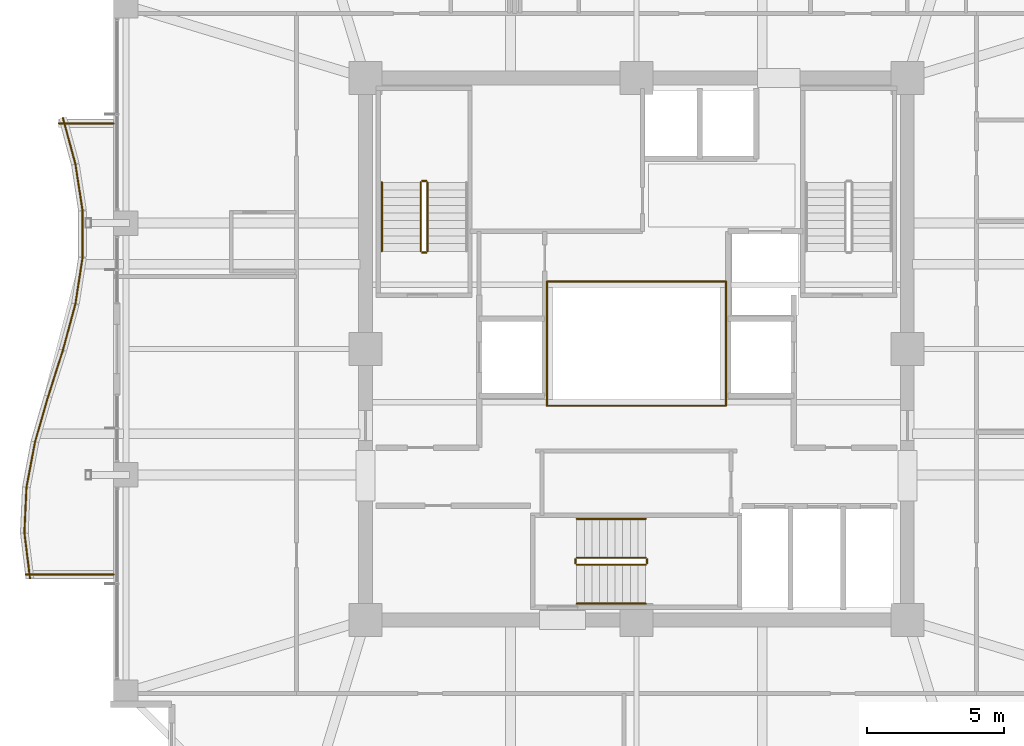
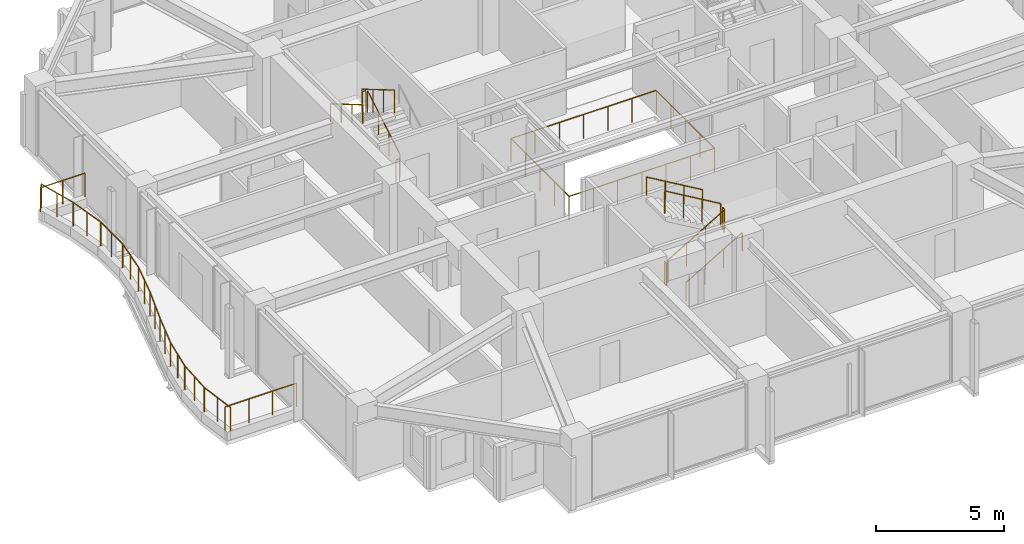
# One storey, part 34 of 35: 27 railings.
"""IFC4 building model written with IfcOpenShell, lengths in metres."""

from ifc_helpers import new_model, si_unit, direction, frame, origin, origin_2d, place, context, subcontext, project, spatial, circle, extrude, material, type_object, element, save


model = new_model("IFC4")

# Units and contexts
model_context = context("Model", 3, precision=1e-05, world=origin(), true_north=direction((0.0, 1.0)))
body_context = subcontext(model_context, "Body", "Model", "MODEL_VIEW")
ifc_project = project(units=[si_unit("LENGTHUNIT", "METRE"), si_unit("AREAUNIT", "SQUARE_METRE"), si_unit("VOLUMEUNIT", "CUBIC_METRE"), si_unit("PLANEANGLEUNIT", "RADIAN"), si_unit("MASSUNIT", "GRAM", prefix="KILO")], contexts=[model_context])

# Site, building, storey
site_placement = place(None, origin())
site = spatial("IfcSite", under=ifc_project, at=site_placement, CompositionType="ELEMENT")
building_placement = place(site_placement, origin())
building = spatial("IfcBuilding", under=site, at=building_placement, Name="Kolvaren Belvedere", CompositionType="ELEMENT")
storey_placement = place(building_placement, frame((0.0, 0.0, 163.5)))
storey = spatial("IfcBuildingStorey", under=building, at=storey_placement, Name="L47", CompositionType="ELEMENT", Elevation=163.5)

# Railings
ifc_material_1 = material(Name="Laminated glass & stainless-steel cap rail", Category="steel")
railing_type_1 = type_object("IfcRailingType", Name="RL-ATR-1150", PredefinedType="BALUSTRADE", material=ifc_material_1)
for number, where, name in (
    (1, (-3.27001953125, 2.469970703125, 0.0), "L47 Atrium North Glass Balustrade"),
    (2, (-3.27001953125, -2.070068359375, 0.0), "L47 Atrium South Glass Balustrade"),
):
    element("IfcRailing", number, at=place(storey_placement, frame(where)), inside=storey, type_object=railing_type_1, Name=name, PredefinedType="BALUSTRADE", context=body_context, shape_type="SweptSolid", body=[
        extrude(circle(Radius=0.02392578125, at=origin_2d()), frame((0.0, 0.0, 1.1259765625), z_axis=(1.0, 0.0, 0.0), x_axis=(0.0, 1.0, 0.0)), (0.0, 0.0, 1.0), 6.5400390625),
        extrude(circle(Radius=0.02099609375, at=origin_2d()), origin(), (0.0, 0.0, 1.0), 1.101806640625),
        extrude(circle(Radius=0.02099609375, at=origin_2d()), frame((1.090087890625, 0.0, 0.0)), (0.0, 0.0, 1.0), 1.101806640625),
        extrude(circle(Radius=0.02099609375, at=origin_2d()), frame((2.179931640625, 0.0, 0.0)), (0.0, 0.0, 1.0), 1.101806640625),
        extrude(circle(Radius=0.02099609375, at=origin_2d()), frame((3.27001953125, 0.0, 0.0)), (0.0, 0.0, 1.0), 1.101806640625),
        extrude(circle(Radius=0.02099609375, at=origin_2d()), frame((4.360107421875, 0.0, 0.0)), (0.0, 0.0, 1.0), 1.101806640625),
        extrude(circle(Radius=0.02099609375, at=origin_2d()), frame((5.449951171875, 0.0, 0.0)), (0.0, 0.0, 1.0), 1.101806640625),
        extrude(circle(Radius=0.02099609375, at=origin_2d()), frame((6.5400390625, 0.0, 0.0)), (0.0, 0.0, 1.0), 1.101806640625),
    ])
for number, where, name in (
    (3, (-3.27001953125, -2.070068359375, 0.0), "L47 Atrium West Glass Balustrade"),
    (4, (3.27001953125, -2.070068359375, 0.0), "L47 Atrium East Glass Balustrade"),
):
    element("IfcRailing", number, at=place(storey_placement, frame(where)), inside=storey, type_object=railing_type_1, Name=name, PredefinedType="BALUSTRADE", context=body_context, shape_type="SweptSolid", body=[
        extrude(circle(Radius=0.02392578125, at=origin_2d()), frame((0.0, 0.0, 1.1259765625), z_axis=(0.0, 1.0, 0.0), x_axis=(-1.0, 0.0, 0.0)), (0.0, 0.0, 1.0), 4.5400390625),
        extrude(circle(Radius=0.02099609375, at=origin_2d()), origin(), (0.0, 0.0, 1.0), 1.101806640625),
        extrude(circle(Radius=0.02099609375, at=origin_2d()), frame((0.0, 1.135009765625, 0.0)), (0.0, 0.0, 1.0), 1.101806640625),
        extrude(circle(Radius=0.02099609375, at=origin_2d()), frame((0.0, 2.27001953125, 0.0)), (0.0, 0.0, 1.0), 1.101806640625),
        extrude(circle(Radius=0.02099609375, at=origin_2d()), frame((0.0, 3.405029296875, 0.0)), (0.0, 0.0, 1.0), 1.101806640625),
        extrude(circle(Radius=0.02099609375, at=origin_2d()), frame((0.0, 4.5400390625, 0.0)), (0.0, 0.0, 1.0), 1.101806640625),
    ])
ifc_material_2 = material(Name="Anodised pale-metal aluminium & laminated glass guard", Category="aluminium")
railing_type_2 = type_object("IfcRailingType", Name="RL-GUARD-1150", PredefinedType="GUARDRAIL", material=ifc_material_2)
railing_1_placement = place(storey_placement, frame((-20.951904296875, 8.441650390625, 0.39990234375)))
element("IfcRailing", 5, at=railing_1_placement, inside=storey, type_object=railing_type_2, Name="L47 Exterior Deck Safety Guard BAL-W-1", PredefinedType="GUARDRAIL", context=body_context, shape_type="SweptSolid", body=[
    extrude(circle(Radius=0.02392578125, at=origin_2d()), frame((0.0, 0.0, 1.1259765625), z_axis=(0.260682852326, -0.965424492388, 0.0), x_axis=(0.965424492388, 0.260682852326, 0.0)), (0.0, 0.0, 1.0), 1.739990234375),
    extrude(circle(Radius=0.02099609375, at=origin_2d()), origin(), (0.0, 0.0, 1.0), 1.101806640625),
    extrude(circle(Radius=0.02099609375, at=origin_2d()), frame((0.226806640625, -0.83984375, 0.0)), (0.0, 0.0, 1.0), 1.101806640625),
    extrude(circle(Radius=0.02099609375, at=origin_2d()), frame((0.45361328125, -1.679931640625, 0.0)), (0.0, 0.0, 1.0), 1.101806640625),
])
railing_2_placement = place(storey_placement, frame((-20.49462890625, 6.744384765625, 0.39990234375)))
element("IfcRailing", 6, at=railing_2_placement, inside=storey, type_object=railing_type_2, Name="L47 Exterior Deck Safety Guard BAL-W-2", PredefinedType="GUARDRAIL", context=body_context, shape_type="SweptSolid", body=[
    extrude(circle(Radius=0.02392578125, at=origin_2d()), frame((0.0, 0.0, 1.1259765625), z_axis=(0.152251460091, -0.988341789514, 0.0), x_axis=(0.988341789514, 0.152251460091, 0.0)), (0.0, 0.0, 1.0), 1.69970703125),
    extrude(circle(Radius=0.02099609375, at=origin_2d()), origin(), (0.0, 0.0, 1.0), 1.101806640625),
    extrude(circle(Radius=0.02099609375, at=origin_2d()), frame((0.12939453125, -0.83984375, 0.0)), (0.0, 0.0, 1.0), 1.101806640625),
    extrude(circle(Radius=0.02099609375, at=origin_2d()), frame((0.2587890625, -1.679931640625, 0.0)), (0.0, 0.0, 1.0), 1.101806640625),
])
railing_3_placement = place(storey_placement, frame((-20.23388671875, 5.0400390625, 0.39990234375)))
element("IfcRailing", 7, at=railing_3_placement, inside=storey, type_object=railing_type_2, Name="L47 Exterior Deck Safety Guard BAL-W-3", PredefinedType="GUARDRAIL", context=body_context, shape_type="SweptSolid", body=[
    extrude(circle(Radius=0.02392578125, at=origin_2d()), frame((0.0, 0.0, 1.1259765625), z_axis=(0.0, -1.0, 0.0), x_axis=(1.0, 0.0, 0.0)), (0.0, 0.0, 1.0), 1.679931640625),
    extrude(circle(Radius=0.02099609375, at=origin_2d()), origin(), (0.0, 0.0, 1.0), 1.101806640625),
    extrude(circle(Radius=0.02099609375, at=origin_2d()), frame((0.0, -0.83984375, 0.0)), (0.0, 0.0, 1.0), 1.101806640625),
    extrude(circle(Radius=0.02099609375, at=origin_2d()), frame((0.0, -1.679931640625, 0.0)), (0.0, 0.0, 1.0), 1.101806640625),
])
railing_4_placement = place(storey_placement, frame((-20.23583984375, 3.335693359375, 0.39990234375)))
element("IfcRailing", 8, at=railing_4_placement, inside=storey, type_object=railing_type_2, Name="L47 Exterior Deck Safety Guard BAL-W-4", PredefinedType="GUARDRAIL", context=body_context, shape_type="SweptSolid", body=[
    extrude(circle(Radius=0.02392578125, at=origin_2d()), frame((0.0, 0.0, 1.1259765625), z_axis=(-0.152229849666, -0.988345118302, 0.0), x_axis=(0.988345118302, -0.152229849666, 0.0)), (0.0, 0.0, 1.0), 1.699951171875),
    extrude(circle(Radius=0.02099609375, at=origin_2d()), origin(), (0.0, 0.0, 1.0), 1.101806640625),
    extrude(circle(Radius=0.02099609375, at=origin_2d()), frame((-0.12939453125, -0.840087890625, 0.0)), (0.0, 0.0, 1.0), 1.101806640625),
    extrude(circle(Radius=0.02099609375, at=origin_2d()), frame((-0.2587890625, -1.68017578125, 0.0)), (0.0, 0.0, 1.0), 1.101806640625),
])
railing_5_placement = place(storey_placement, frame((-20.498291015625, 1.63818359375, 0.39990234375)))
element("IfcRailing", 9, at=railing_5_placement, inside=storey, type_object=railing_type_2, Name="L47 Exterior Deck Safety Guard BAL-W-5", PredefinedType="GUARDRAIL", context=body_context, shape_type="SweptSolid", body=[
    extrude(circle(Radius=0.02392578125, at=origin_2d()), frame((0.0, 0.0, 1.1259765625), z_axis=(-0.260682852326, -0.965424492388, 0.0), x_axis=(0.965424492388, -0.260682852326, 0.0)), (0.0, 0.0, 1.0), 1.739990234375),
    extrude(circle(Radius=0.02099609375, at=origin_2d()), origin(), (0.0, 0.0, 1.0), 1.101806640625),
    extrude(circle(Radius=0.02099609375, at=origin_2d()), frame((-0.226806640625, -0.83984375, 0.0)), (0.0, 0.0, 1.0), 1.101806640625),
    extrude(circle(Radius=0.02099609375, at=origin_2d()), frame((-0.45361328125, -1.679931640625, 0.0)), (0.0, 0.0, 1.0), 1.101806640625),
])
railing_6_placement = place(storey_placement, frame((-20.953857421875, -0.048583984375, 0.39990234375)))
element("IfcRailing", 10, at=railing_6_placement, inside=storey, type_object=railing_type_2, Name="L47 Exterior Deck Safety Guard BAL-W-6", PredefinedType="GUARDRAIL", context=body_context, shape_type="SweptSolid", body=[
    extrude(circle(Radius=0.02392578125, at=origin_2d()), frame((0.0, 0.0, 1.1259765625), z_axis=(-0.304032153573, -0.952661770826, 0.0), x_axis=(0.952661770826, -0.304032153573, 0.0)), (0.0, 0.0, 1.0), 1.763427734375),
    extrude(circle(Radius=0.02099609375, at=origin_2d()), origin(), (0.0, 0.0, 1.0), 1.101806640625),
    extrude(circle(Radius=0.02099609375, at=origin_2d()), frame((-0.26806640625, -0.83984375, 0.0)), (0.0, 0.0, 1.0), 1.101806640625),
    extrude(circle(Radius=0.02099609375, at=origin_2d()), frame((-0.5361328125, -1.679931640625, 0.0)), (0.0, 0.0, 1.0), 1.101806640625),
])
railing_7_placement = place(storey_placement, frame((-21.48876953125, -1.724609375, 0.39990234375)))
element("IfcRailing", 11, at=railing_7_placement, inside=storey, type_object=railing_type_2, Name="L47 Exterior Deck Safety Guard BAL-W-7", PredefinedType="GUARDRAIL", context=body_context, shape_type="SweptSolid", body=[
    extrude(circle(Radius=0.02392578125, at=origin_2d()), frame((0.0, 0.0, 1.1259765625), z_axis=(-0.277817391164, -0.960633903819, 0.0), x_axis=(0.960633903819, -0.277817391164, 0.0)), (0.0, 0.0, 1.0), 1.748779296875),
    extrude(circle(Radius=0.02099609375, at=origin_2d()), origin(), (0.0, 0.0, 1.0), 1.101806640625),
    extrude(circle(Radius=0.02099609375, at=origin_2d()), frame((-0.242919921875, -0.83984375, 0.0)), (0.0, 0.0, 1.0), 1.101806640625),
    extrude(circle(Radius=0.02099609375, at=origin_2d()), frame((-0.48583984375, -1.679931640625, 0.0)), (0.0, 0.0, 1.0), 1.101806640625),
])
railing_8_placement = place(storey_placement, frame((-21.97119140625, -3.3896484375, 0.39990234375)))
element("IfcRailing", 12, at=railing_8_placement, inside=storey, type_object=railing_type_2, Name="L47 Exterior Deck Safety Guard BAL-W-8", PredefinedType="GUARDRAIL", context=body_context, shape_type="SweptSolid", body=[
    extrude(circle(Radius=0.02392578125, at=origin_2d()), frame((0.0, 0.0, 1.1259765625), z_axis=(-0.184814532932, -0.982773416621, 0.0), x_axis=(0.982773416621, -0.184814532932, 0.0)), (0.0, 0.0, 1.0), 1.70947265625),
    extrude(circle(Radius=0.02099609375, at=origin_2d()), origin(), (0.0, 0.0, 1.0), 1.101806640625),
    extrude(circle(Radius=0.02099609375, at=origin_2d()), frame((-0.157958984375, -0.83984375, 0.0)), (0.0, 0.0, 1.0), 1.101806640625),
    extrude(circle(Radius=0.02099609375, at=origin_2d()), frame((-0.31591796875, -1.679931640625, 0.0)), (0.0, 0.0, 1.0), 1.101806640625),
])
railing_9_placement = place(storey_placement, frame((-22.284423828125, -5.047119140625, 0.39990234375)))
element("IfcRailing", 13, at=railing_9_placement, inside=storey, type_object=railing_type_2, Name="L47 Exterior Deck Safety Guard BAL-W-9", PredefinedType="GUARDRAIL", context=body_context, shape_type="SweptSolid", body=[
    extrude(circle(Radius=0.02392578125, at=origin_2d()), frame((0.0, 0.0, 1.1259765625), z_axis=(-0.044999415011, -0.998987013253, 0.0), x_axis=(0.998987013253, -0.044999415011, 0.0)), (0.0, 0.0, 1.0), 1.681884765625),
    extrude(circle(Radius=0.02099609375, at=origin_2d()), origin(), (0.0, 0.0, 1.0), 1.101806640625),
    extrude(circle(Radius=0.02099609375, at=origin_2d()), frame((-0.037841796875, -0.840087890625, 0.0)), (0.0, 0.0, 1.0), 1.101806640625),
    extrude(circle(Radius=0.02099609375, at=origin_2d()), frame((-0.07568359375, -1.68017578125, 0.0)), (0.0, 0.0, 1.0), 1.101806640625),
])
railing_10_placement = place(storey_placement, frame((-22.361083984375, -6.700439453125, 0.39990234375)))
element("IfcRailing", 14, at=railing_10_placement, inside=storey, type_object=railing_type_2, Name="L47 Exterior Deck Safety Guard BAL-W-10", PredefinedType="GUARDRAIL", context=body_context, shape_type="SweptSolid", body=[
    extrude(circle(Radius=0.02392578125, at=origin_2d()), frame((0.0, 0.0, 1.1259765625), z_axis=(0.121868867697, -0.992546210051, 0.0), x_axis=(0.992546210051, 0.121868867697, 0.0)), (0.0, 0.0, 1.0), 1.69287109375),
    extrude(circle(Radius=0.02099609375, at=origin_2d()), origin(), (0.0, 0.0, 1.0), 1.101806640625),
    extrude(circle(Radius=0.02099609375, at=origin_2d()), frame((0.10302734375, -0.840087890625, 0.0)), (0.0, 0.0, 1.0), 1.101806640625),
    extrude(circle(Radius=0.02099609375, at=origin_2d()), frame((0.206298828125, -1.68017578125, 0.0)), (0.0, 0.0, 1.0), 1.101806640625),
])
railing_11_placement = place(storey_placement, frame((-22.313720703125, -8.239990234375, 0.39990234375)))
element("IfcRailing", 15, at=railing_11_placement, inside=storey, type_object=railing_type_2, Name="L47 Exterior Deck Safety Guard BAL-W-11", PredefinedType="GUARDRAIL", context=body_context, shape_type="SweptSolid", body=[
    extrude(circle(Radius=0.02392578125, at=origin_2d()), frame((0.0, 0.0, 1.1259765625), z_axis=(1.0, 0.0, 0.0), x_axis=(0.0, 1.0, 0.0)), (0.0, 0.0, 1.0), 3.213623046875),
    extrude(circle(Radius=0.02099609375, at=origin_2d()), origin(), (0.0, 0.0, 1.0), 1.101806640625),
    extrude(circle(Radius=0.02099609375, at=origin_2d()), frame((1.0712890625, 0.0, 0.0)), (0.0, 0.0, 1.0), 1.101806640625),
    extrude(circle(Radius=0.02099609375, at=origin_2d()), frame((2.142333984375, 0.0, 0.0)), (0.0, 0.0, 1.0), 1.101806640625),
    extrude(circle(Radius=0.02099609375, at=origin_2d()), frame((3.213623046875, 0.0, 0.0)), (0.0, 0.0, 1.0), 1.101806640625),
])
railing_12_placement = place(storey_placement, frame((-19.10009765625, 8.239990234375, 0.39990234375)))
element("IfcRailing", 16, at=railing_12_placement, inside=storey, type_object=railing_type_2, Name="L47 Exterior Deck Safety Guard BAL-W-22", PredefinedType="GUARDRAIL", context=body_context, shape_type="SweptSolid", body=[
    extrude(circle(Radius=0.02392578125, at=origin_2d()), frame((0.0, 0.0, 1.1259765625), z_axis=(-1.0, 0.0, 0.0), x_axis=(0.0, -1.0, 0.0)), (0.0, 0.0, 1.0), 2.006103515625),
    extrude(circle(Radius=0.02099609375, at=origin_2d()), origin(), (0.0, 0.0, 1.0), 1.101806640625),
    extrude(circle(Radius=0.02099609375, at=origin_2d()), frame((-1.0029296875, 0.0, 0.0)), (0.0, 0.0, 1.0), 1.101806640625),
    extrude(circle(Radius=0.02099609375, at=origin_2d()), frame((-2.006103515625, 0.0, 0.0)), (0.0, 0.0, 1.0), 1.101806640625),
])
ifc_material_3 = material(Name="Brushed stainless-steel handrail", Category="steel")
railing_type_3 = type_object("IfcRailingType", Name="RL-HANDRAIL-920", PredefinedType="HANDRAIL", material=ifc_material_3)
railing_13_placement = place(storey_placement, frame((-9.300048828125, 6.090087890625, 1.81494140625)))
element("IfcRailing", 17, at=railing_13_placement, inside=storey, type_object=railing_type_3, Name="L47 ST-1 stair handrail 2", PredefinedType="HANDRAIL", context=body_context, shape_type="SweptSolid", body=[
    extrude(circle(Radius=0.02392578125, at=origin_2d()), frame((0.0, 0.0, 0.8759765625), z_axis=(0.0, -0.86152411907, 0.507716645641), x_axis=(1.0, 0.0, 0.0)), (0.0, 0.0, 1.0), 2.925048828125),
    extrude(circle(Radius=0.02099609375, at=origin_2d()), origin(), (0.0, 0.0, 1.0), 0.851806640625),
    extrude(circle(Radius=0.02099609375, at=origin_2d()), frame((0.0, -0.840087890625, 0.4951171875)), (0.0, 0.0, 1.0), 0.851806640625),
    extrude(circle(Radius=0.02099609375, at=origin_2d()), frame((0.0, -1.679931640625, 0.989990234375)), (0.0, 0.0, 1.0), 0.851806640625),
    extrude(circle(Radius=0.02099609375, at=origin_2d()), frame((0.0, -2.52001953125, 1.485107421875)), (0.0, 0.0, 1.0), 0.851806640625),
])
railing_14_placement = place(storey_placement, frame((-2.179931640625, -9.300048828125, 0.1650390625)))
element("IfcRailing", 18, at=railing_14_placement, inside=storey, type_object=railing_type_3, Name="L47 ST-3 stair handrail 1", PredefinedType="HANDRAIL", context=body_context, shape_type="SweptSolid", body=[
    extrude(circle(Radius=0.02392578125, at=origin_2d()), frame((0.0, 0.0, 0.8759765625), z_axis=(0.861560626758, 0.0, 0.507654692109), x_axis=(0.0, 1.0, 0.0)), (0.0, 0.0, 1.0), 2.925048828125),
    extrude(circle(Radius=0.02099609375, at=origin_2d()), origin(), (0.0, 0.0, 1.0), 0.851806640625),
    extrude(circle(Radius=0.02099609375, at=origin_2d()), frame((0.840087890625, 0.0, 0.494873046875)), (0.0, 0.0, 1.0), 0.851806640625),
    extrude(circle(Radius=0.02099609375, at=origin_2d()), frame((1.679931640625, 0.0, 0.989990234375)), (0.0, 0.0, 1.0), 0.851806640625),
    extrude(circle(Radius=0.02099609375, at=origin_2d()), frame((2.52001953125, 0.0, 1.48486328125)), (0.0, 0.0, 1.0), 0.851806640625),
])
railing_15_placement = place(storey_placement, frame((0.340087890625, -6.2099609375, 1.81494140625)))
element("IfcRailing", 19, at=railing_15_placement, inside=storey, type_object=railing_type_3, Name="L47 ST-3 stair handrail 2", PredefinedType="HANDRAIL", context=body_context, shape_type="SweptSolid", body=[
    extrude(circle(Radius=0.02392578125, at=origin_2d()), frame((0.0, 0.0, 0.8759765625), z_axis=(-0.86152411907, 0.0, 0.507716645641), x_axis=(0.0, -1.0, 0.0)), (0.0, 0.0, 1.0), 2.925048828125),
    extrude(circle(Radius=0.02099609375, at=origin_2d()), origin(), (0.0, 0.0, 1.0), 0.851806640625),
    extrude(circle(Radius=0.02099609375, at=origin_2d()), frame((-0.840087890625, 0.0, 0.4951171875)), (0.0, 0.0, 1.0), 0.851806640625),
    extrude(circle(Radius=0.02099609375, at=origin_2d()), frame((-1.679931640625, 0.0, 0.989990234375)), (0.0, 0.0, 1.0), 0.851806640625),
    extrude(circle(Radius=0.02099609375, at=origin_2d()), frame((-2.52001953125, 0.0, 1.485107421875)), (0.0, 0.0, 1.0), 0.851806640625),
])
ifc_material_4 = material(Name="Painted tubular steel stair guard", Category="steel")
railing_type_4 = type_object("IfcRailingType", Name="RL-STGUARD-1100", PredefinedType="GUARDRAIL", material=ifc_material_4)
railing_16_placement = place(storey_placement, frame((-7.6298828125, 3.570068359375, 0.1650390625)))
element("IfcRailing", 20, at=railing_16_placement, inside=storey, type_object=railing_type_4, Name="L47 ST-1 stair guard 1", PredefinedType="GUARDRAIL", context=body_context, shape_type="SweptSolid", body=[
    extrude(circle(Radius=0.02392578125, at=origin_2d()), frame((0.0, 0.0, 1.076171875), z_axis=(0.0, 0.861560626758, 0.507654692109), x_axis=(-1.0, 0.0, 0.0)), (0.0, 0.0, 1.0), 2.925048828125),
    extrude(circle(Radius=0.02099609375, at=origin_2d()), origin(), (0.0, 0.0, 1.0), 1.052001953125),
    extrude(circle(Radius=0.02099609375, at=origin_2d()), frame((0.0, 0.840087890625, 0.494873046875)), (0.0, 0.0, 1.0), 1.052001953125),
    extrude(circle(Radius=0.02099609375, at=origin_2d()), frame((0.0, 1.679931640625, 0.989990234375)), (0.0, 0.0, 1.0), 1.052001953125),
    extrude(circle(Radius=0.02099609375, at=origin_2d()), frame((0.0, 2.52001953125, 1.48486328125)), (0.0, 0.0, 1.0), 1.052001953125),
])
railing_17_placement = place(storey_placement, frame((-7.679931640625, 6.139892578125, 1.64990234375)))
element("IfcRailing", 21, at=railing_17_placement, inside=storey, type_object=railing_type_4, Name="L47 ST-1 stair guard 2", PredefinedType="GUARDRAIL", context=body_context, shape_type="SweptSolid", body=[
    extrude(circle(Radius=0.02392578125, at=origin_2d()), frame((0.0, 0.0, 1.076171875), z_axis=(-1.0, 0.0, 0.0), x_axis=(0.0, -1.0, 0.0)), (0.0, 0.0, 1.0), 0.150146484375),
    extrude(circle(Radius=0.02099609375, at=origin_2d()), origin(), (0.0, 0.0, 1.0), 1.052001953125),
    extrude(circle(Radius=0.02099609375, at=origin_2d()), frame((-0.150146484375, 0.0, 0.0)), (0.0, 0.0, 1.0), 1.052001953125),
])
railing_18_placement = place(storey_placement, frame((-7.8798828125, 6.090087890625, 1.81494140625)))
element("IfcRailing", 22, at=railing_18_placement, inside=storey, type_object=railing_type_4, Name="L47 ST-1 stair guard 3", PredefinedType="GUARDRAIL", context=body_context, shape_type="SweptSolid", body=[
    extrude(circle(Radius=0.02392578125, at=origin_2d()), frame((0.0, 0.0, 1.076171875), z_axis=(0.0, -0.86152411907, 0.507716645641), x_axis=(1.0, 0.0, 0.0)), (0.0, 0.0, 1.0), 2.925048828125),
    extrude(circle(Radius=0.02099609375, at=origin_2d()), origin(), (0.0, 0.0, 1.0), 1.052001953125),
    extrude(circle(Radius=0.02099609375, at=origin_2d()), frame((0.0, -0.840087890625, 0.4951171875)), (0.0, 0.0, 1.0), 1.052001953125),
    extrude(circle(Radius=0.02099609375, at=origin_2d()), frame((0.0, -1.679931640625, 0.989990234375)), (0.0, 0.0, 1.0), 1.052001953125),
    extrude(circle(Radius=0.02099609375, at=origin_2d()), frame((0.0, -2.52001953125, 1.485107421875)), (0.0, 0.0, 1.0), 1.052001953125),
])
railing_19_placement = place(storey_placement, frame((-7.679931640625, 3.52001953125, 0.0)))
element("IfcRailing", 23, at=railing_19_placement, inside=storey, type_object=railing_type_4, Name="L47 ST-1 stair guard 4", PredefinedType="GUARDRAIL", context=body_context, shape_type="SweptSolid", body=[
    extrude(circle(Radius=0.02392578125, at=origin_2d()), frame((0.0, 0.0, 1.076171875), z_axis=(-1.0, 0.0, 0.0), x_axis=(0.0, -1.0, 0.0)), (0.0, 0.0, 1.0), 0.150146484375),
    extrude(circle(Radius=0.02099609375, at=origin_2d()), origin(), (0.0, 0.0, 1.0), 1.052001953125),
    extrude(circle(Radius=0.02099609375, at=origin_2d()), frame((-0.150146484375, 0.0, 0.0)), (0.0, 0.0, 1.0), 1.052001953125),
])
railing_20_placement = place(storey_placement, frame((-2.179931640625, -7.8798828125, 0.1650390625)))
element("IfcRailing", 24, at=railing_20_placement, inside=storey, type_object=railing_type_4, Name="L47 ST-3 stair guard 1", PredefinedType="GUARDRAIL", context=body_context, shape_type="SweptSolid", body=[
    extrude(circle(Radius=0.02392578125, at=origin_2d()), frame((0.0, 0.0, 1.076171875), z_axis=(0.861560626758, 0.0, 0.507654692109), x_axis=(0.0, 1.0, 0.0)), (0.0, 0.0, 1.0), 2.925048828125),
    extrude(circle(Radius=0.02099609375, at=origin_2d()), origin(), (0.0, 0.0, 1.0), 1.052001953125),
    extrude(circle(Radius=0.02099609375, at=origin_2d()), frame((0.840087890625, 0.0, 0.494873046875)), (0.0, 0.0, 1.0), 1.052001953125),
    extrude(circle(Radius=0.02099609375, at=origin_2d()), frame((1.679931640625, 0.0, 0.989990234375)), (0.0, 0.0, 1.0), 1.052001953125),
    extrude(circle(Radius=0.02099609375, at=origin_2d()), frame((2.52001953125, 0.0, 1.48486328125)), (0.0, 0.0, 1.0), 1.052001953125),
])
railing_21_placement = place(storey_placement, frame((0.389892578125, -7.830078125, 1.64990234375)))
element("IfcRailing", 25, at=railing_21_placement, inside=storey, type_object=railing_type_4, Name="L47 ST-3 stair guard 2", PredefinedType="GUARDRAIL", context=body_context, shape_type="SweptSolid", body=[
    extrude(circle(Radius=0.02392578125, at=origin_2d()), frame((0.0, 0.0, 1.076171875), z_axis=(0.0, 1.0, 0.0), x_axis=(-1.0, 0.0, 0.0)), (0.0, 0.0, 1.0), 0.150146484375),
    extrude(circle(Radius=0.02099609375, at=origin_2d()), origin(), (0.0, 0.0, 1.0), 1.052001953125),
    extrude(circle(Radius=0.02099609375, at=origin_2d()), frame((0.0, 0.150146484375, 0.0)), (0.0, 0.0, 1.0), 1.052001953125),
])
railing_22_placement = place(storey_placement, frame((0.340087890625, -7.6298828125, 1.81494140625)))
element("IfcRailing", 26, at=railing_22_placement, inside=storey, type_object=railing_type_4, Name="L47 ST-3 stair guard 3", PredefinedType="GUARDRAIL", context=body_context, shape_type="SweptSolid", body=[
    extrude(circle(Radius=0.02392578125, at=origin_2d()), frame((0.0, 0.0, 1.076171875), z_axis=(-0.86152411907, 0.0, 0.507716645641), x_axis=(0.0, -1.0, 0.0)), (0.0, 0.0, 1.0), 2.925048828125),
    extrude(circle(Radius=0.02099609375, at=origin_2d()), origin(), (0.0, 0.0, 1.0), 1.052001953125),
    extrude(circle(Radius=0.02099609375, at=origin_2d()), frame((-0.840087890625, 0.0, 0.4951171875)), (0.0, 0.0, 1.0), 1.052001953125),
    extrude(circle(Radius=0.02099609375, at=origin_2d()), frame((-1.679931640625, 0.0, 0.989990234375)), (0.0, 0.0, 1.0), 1.052001953125),
    extrude(circle(Radius=0.02099609375, at=origin_2d()), frame((-2.52001953125, 0.0, 1.485107421875)), (0.0, 0.0, 1.0), 1.052001953125),
])
railing_23_placement = place(storey_placement, frame((-2.22998046875, -7.830078125, 0.0)))
element("IfcRailing", 27, at=railing_23_placement, inside=storey, type_object=railing_type_4, Name="L47 ST-3 stair guard 4", PredefinedType="GUARDRAIL", context=body_context, shape_type="SweptSolid", body=[
    extrude(circle(Radius=0.02392578125, at=origin_2d()), frame((0.0, 0.0, 1.076171875), z_axis=(0.0, 1.0, 0.0), x_axis=(-1.0, 0.0, 0.0)), (0.0, 0.0, 1.0), 0.150146484375),
    extrude(circle(Radius=0.02099609375, at=origin_2d()), origin(), (0.0, 0.0, 1.0), 1.052001953125),
    extrude(circle(Radius=0.02099609375, at=origin_2d()), frame((0.0, 0.150146484375, 0.0)), (0.0, 0.0, 1.0), 1.052001953125),
])

save(model, "model.ifc")
